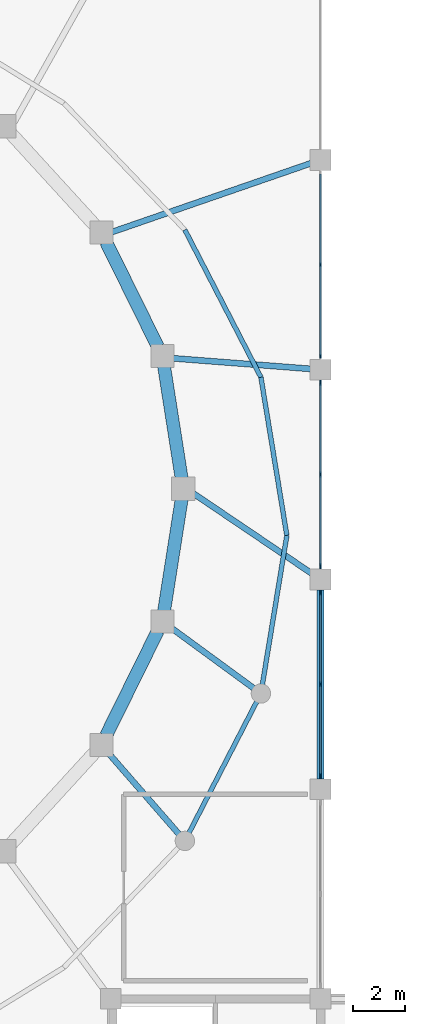
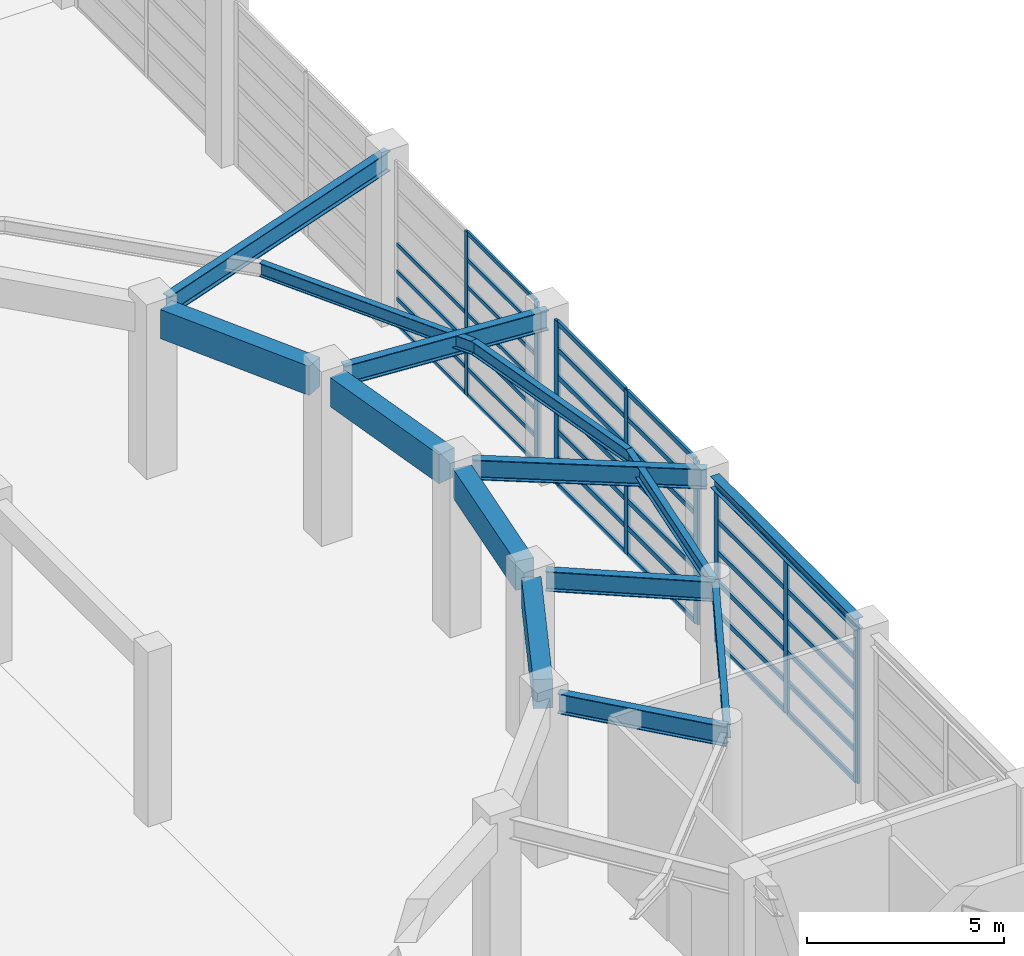
# One storey, part 14 of 52: 45 members, 14 beams, 3 elements without a shape of their own.
"""IFC4 building model written with IfcOpenShell, lengths in metres."""

from ifc_helpers import new_model, si_unit, direction, frame, origin, origin_2d, place, context, subcontext, project, spatial, rectangle, i_section, extrude, material, material_profile, profile_set, type_object, element, aggregate, save


model = new_model("IFC4")

# Units and contexts
model_context = context("Model", 3, precision=1e-05, world=origin(), true_north=direction((0.0, 1.0)))
body_context = subcontext(model_context, "Body", "Model", "MODEL_VIEW")
ifc_project = project(units=[si_unit("LENGTHUNIT", "METRE"), si_unit("AREAUNIT", "SQUARE_METRE"), si_unit("VOLUMEUNIT", "CUBIC_METRE"), si_unit("PLANEANGLEUNIT", "RADIAN"), si_unit("MASSUNIT", "GRAM", prefix="KILO")], contexts=[model_context])

# Site, building, storey
site_placement = place(None, origin())
site = spatial("IfcSite", under=ifc_project, at=site_placement, CompositionType="ELEMENT")
building_placement = place(site_placement, origin())
building = spatial("IfcBuilding", under=site, at=building_placement, Name="Parian Resonance Hall", CompositionType="ELEMENT")
storey_placement = place(building_placement, origin())
storey = spatial("IfcBuildingStorey", under=building, at=storey_placement, Name="L00", CompositionType="ELEMENT", Elevation=0.0)

# Beams
ifc_material_1 = material(Name="Concrete C40/50", Category="concrete")
ifc_material_profile_1 = material_profile(ifc_material_1, rectangle(XDim=0.5, YDim=0.89990234375, at=origin_2d()), Name="RC-BM-500x900")
ifc_profile_set_1 = profile_set([ifc_material_profile_1], Name="Concrete C40/50")
beam_type_1 = type_object("IfcBeamType", Name="BM-RC500x900", PredefinedType="USERDEFINED", material=ifc_profile_set_1)
beam_1_placement = place(storey_placement, frame((67.5380859375, 44.395263671875, 4.679931640625), z_axis=(-0.155033793728, 0.987909167283, 0.0), x_axis=(-0.987909167283, -0.155033793728, 0.0)))
element("IfcBeam", 1, at=beam_1_placement, inside=storey, type_object=beam_type_1, Name="Concert hall drum ring beam L00-01", ObjectType="GIRDER", PredefinedType="USERDEFINED", context=body_context, shape_type="SweptSolid", body=[
    extrude(rectangle(XDim=0.5, YDim=0.89990234375, at=origin_2d()), origin(), (0.0, 0.0, 1.0), 4.38720703125),
])
for number, where, z_axis, x_axis, name in (
    (2, (66.61865234375, 49.4833984375, 4.679931640625), (-0.442697851544, 0.896670849441, 0.0), (-0.896670849441, -0.442697851544, 0.0), "Concert hall drum ring beam L00-02"),
    (3, (64.615234375, 34.458740234375, 4.679931640625), (0.442697851544, 0.896670849441, 0.0), (-0.896670849441, 0.442697851544, 0.0), "Concert hall drum ring beam L00-23"),
):
    element("IfcBeam", number, at=place(storey_placement, frame(where, z_axis=z_axis, x_axis=x_axis)), inside=storey, type_object=beam_type_1, Name=name, ObjectType="GIRDER", PredefinedType="USERDEFINED", context=body_context, shape_type="SweptSolid", body=[
        extrude(rectangle(XDim=0.5, YDim=0.89990234375, at=origin_2d()), origin(), (0.0, 0.0, 1.0), 4.525390625),
    ])
beam_2_placement = place(storey_placement, frame((66.85791015625, 39.2705078125, 4.679931640625), z_axis=(0.155033793728, 0.987909167283, 0.0), x_axis=(-0.987909167283, 0.155033793728, 0.0)))
element("IfcBeam", 4, at=beam_2_placement, inside=storey, type_object=beam_type_1, Name="Concert hall drum ring beam L00-24", ObjectType="GIRDER", PredefinedType="USERDEFINED", context=body_context, shape_type="SweptSolid", body=[
    extrude(rectangle(XDim=0.5, YDim=0.89990234375, at=origin_2d()), origin(), (0.0, 0.0, 1.0), 4.38720703125),
])
ifc_material_2 = material(Name="Steel S355", Category="steel")
ifc_material_profile_2 = material_profile(ifc_material_2, i_section(OverallWidth=0.2548828125, OverallDepth=0.35693359375, WebThickness=0.010498046875, FlangeThickness=0.018310546875, FilletRadius=0.01513671875, at=origin_2d()), Name="W360x101")
ifc_profile_set_2 = profile_set([ifc_material_profile_2], Name="Steel S355")
beam_type_2 = type_object("IfcBeamType", Name="BM-W360x101", PredefinedType="SPANDREL", material=ifc_profile_set_2)
beam_3_placement = place(storey_placement, frame((72.89990234375, 32.800048828125, 4.951416015625), z_axis=(0.0, 1.0, 0.0), x_axis=(-1.0, 0.0, 0.0)))
element("IfcBeam", 5, at=beam_3_placement, inside=storey, type_object=beam_type_2, Name="GY-L00-0431", PredefinedType="SPANDREL", context=body_context, shape_type="SweptSolid", body=[
    extrude(i_section(OverallWidth=0.2548828125, OverallDepth=0.35693359375, WebThickness=0.010498046875, FlangeThickness=0.018310546875, FilletRadius=0.01513671875, at=origin_2d()), origin(), (0.0, 0.0, 1.0), 7.300048828125),
])
ifc_material_3 = material(Name="Steel S355", Category="steel")
ifc_material_profile_3 = material_profile(ifc_material_3, i_section(OverallWidth=0.180908203125, OverallDepth=0.4169921875, WebThickness=0.010986328125, FlangeThickness=0.018310546875, FilletRadius=0.01513671875, at=origin_2d()), Name="W410x85")
ifc_profile_set_3 = profile_set([ifc_material_profile_3], Name="Steel S355")
beam_type_3 = type_object("IfcBeamType", Name="BM-W410x85", PredefinedType="SPANDREL", material=ifc_profile_set_3)
beam_4_placement = place(storey_placement, frame((71.60009765625, 42.199951171875, 4.92138671875), z_axis=(-0.161871996396, 0.986811763602, 0.0), x_axis=(-0.986811763602, -0.161871996396, 0.0)))
element("IfcBeam", 6, at=beam_4_placement, inside=storey, type_object=beam_type_3, Name="Elliptical R1 perimeter spandrel beam 01", PredefinedType="SPANDREL", context=body_context, shape_type="SweptSolid", body=[
    extrude(i_section(OverallWidth=0.180908203125, OverallDepth=0.4169921875, WebThickness=0.010986328125, FlangeThickness=0.018310546875, FilletRadius=0.01513671875, at=origin_2d()), origin(), (0.0, 0.0, 1.0), 6.189697265625),
])
for number, where, z_axis, x_axis, name in (
    (7, (70.59814453125, 48.30810546875, 4.92138671875), (-0.458551648707, 0.888667758765, 0.0), (-0.888667758765, -0.458551648707, 0.0), "Elliptical R1 perimeter spandrel beam 02"),
    (8, (67.6611328125, 30.39990234375, 4.92138671875), (0.458551648707, 0.888667758765, 0.0), (-0.888667758765, 0.458551648707, 0.0), "Elliptical R1 perimeter spandrel beam 23"),
):
    element("IfcBeam", number, at=place(storey_placement, frame(where, z_axis=z_axis, x_axis=x_axis)), inside=storey, type_object=beam_type_3, Name=name, PredefinedType="SPANDREL", context=body_context, shape_type="SweptSolid", body=[
        extrude(i_section(OverallWidth=0.180908203125, OverallDepth=0.4169921875, WebThickness=0.010986328125, FlangeThickness=0.018310546875, FilletRadius=0.01513671875, at=origin_2d()), origin(), (0.0, 0.0, 1.0), 6.405029296875),
    ])
beam_5_placement = place(storey_placement, frame((70.59814453125, 36.091796875, 4.92138671875), z_axis=(0.161871996396, 0.986811763602, 0.0), x_axis=(-0.986811763602, 0.161871996396, 0.0)))
element("IfcBeam", 9, at=beam_5_placement, inside=storey, type_object=beam_type_3, Name="Elliptical R1 perimeter spandrel beam 24", PredefinedType="SPANDREL", context=body_context, shape_type="SweptSolid", body=[
    extrude(i_section(OverallWidth=0.180908203125, OverallDepth=0.4169921875, WebThickness=0.010986328125, FlangeThickness=0.018310546875, FilletRadius=0.01513671875, at=origin_2d()), origin(), (0.0, 0.0, 1.0), 6.189697265625),
])
ifc_material_4 = material(Name="Steel S355", Category="steel")
ifc_material_profile_4 = material_profile(ifc_material_4, i_section(OverallWidth=0.22998046875, OverallDepth=0.616943359375, WebThickness=0.01318359375, FlangeThickness=0.022216796875, FilletRadius=0.017822265625, at=origin_2d()), Name="W610x140")
ifc_profile_set_4 = profile_set([ifc_material_profile_4], Name="Steel S355")
beam_type_4 = type_object("IfcBeamType", Name="CG1 W610x140", PredefinedType="USERDEFINED", material=ifc_profile_set_4)
beam_6_placement = place(storey_placement, frame((67.96484375, 43.8359375, 4.821533203125), z_axis=(0.828476931089, -0.560023191174, 0.0), x_axis=(0.560023191174, 0.828476931089, 0.0)))
element("IfcBeam", 10, at=beam_6_placement, inside=storey, type_object=beam_type_4, Name="Radial spine girder R1-01", ObjectType="GIRDER", PredefinedType="USERDEFINED", context=body_context, shape_type="SweptSolid", body=[
    extrude(i_section(OverallWidth=0.22998046875, OverallDepth=0.616943359375, WebThickness=0.01318359375, FlangeThickness=0.022216796875, FilletRadius=0.017822265625, at=origin_2d()), origin(), (0.0, 0.0, 1.0), 5.956787109375),
])
beam_7_placement = place(storey_placement, frame((67.18701171875, 49.04052734375, 4.821533203125), z_axis=(0.997041437884, -0.076865929656, 0.0), x_axis=(0.076865929656, 0.997041437884, 0.0)))
element("IfcBeam", 11, at=beam_7_placement, inside=storey, type_object=beam_type_4, Name="Radial spine girder R1-02", ObjectType="GIRDER", PredefinedType="USERDEFINED", context=body_context, shape_type="SweptSolid", body=[
    extrude(i_section(OverallWidth=0.22998046875, OverallDepth=0.616943359375, WebThickness=0.01318359375, FlangeThickness=0.022216796875, FilletRadius=0.017822265625, at=origin_2d()), origin(), (0.0, 0.0, 1.0), 5.729736328125),
])
beam_8_placement = place(storey_placement, frame((64.837890625, 53.912353515625, 4.821533203125), z_axis=(0.945098305979, 0.326786156431, 0.0), x_axis=(-0.326786156431, 0.945098305979, 0.0)))
element("IfcBeam", 12, at=beam_8_placement, inside=storey, type_object=beam_type_4, Name="Radial spine girder R1-03", ObjectType="GIRDER", PredefinedType="USERDEFINED", context=body_context, shape_type="SweptSolid", body=[
    extrude(i_section(OverallWidth=0.22998046875, OverallDepth=0.616943359375, WebThickness=0.01318359375, FlangeThickness=0.022216796875, FilletRadius=0.017822265625, at=origin_2d()), origin(), (0.0, 0.0, 1.0), 8.5302734375),
])
beam_9_placement = place(storey_placement, frame((64.700927734375, 33.79833984375, 4.821533203125), z_axis=(0.656815522113, -0.754051304562, 0.0), x_axis=(0.754051304562, 0.656815522113, 0.0)))
element("IfcBeam", 13, at=beam_9_placement, inside=storey, type_object=beam_type_4, Name="Radial spine girder R1-23", ObjectType="GIRDER", PredefinedType="USERDEFINED", context=body_context, shape_type="SweptSolid", body=[
    extrude(i_section(OverallWidth=0.22998046875, OverallDepth=0.616943359375, WebThickness=0.01318359375, FlangeThickness=0.022216796875, FilletRadius=0.017822265625, at=origin_2d()), origin(), (0.0, 0.0, 1.0), 4.5068359375),
])
beam_10_placement = place(storey_placement, frame((67.11865234375, 38.63916015625, 4.821533203125), z_axis=(0.806876312566, -0.590720421367, 0.0), x_axis=(0.590720421367, 0.806876312566, 0.0)))
element("IfcBeam", 14, at=beam_10_placement, inside=storey, type_object=beam_type_4, Name="Radial spine girder R1-24", ObjectType="GIRDER", PredefinedType="USERDEFINED", context=body_context, shape_type="SweptSolid", body=[
    extrude(i_section(OverallWidth=0.22998046875, OverallDepth=0.616943359375, WebThickness=0.01318359375, FlangeThickness=0.022216796875, FilletRadius=0.017822265625, at=origin_2d()), origin(), (0.0, 0.0, 1.0), 4.312255859375),
])

# Curtain wall, members
ifc_material_5 = material(Name="Bronze-anodised aluminium frame", Category="aluminium")
curtain_wall_type_1 = type_object("IfcCurtainWallType", Name="CW-SYS-01", PredefinedType="NOTDEFINED", material=ifc_material_5)
curtain_wall_1_placement = place(storey_placement, origin())
curtain_wall_1 = element("IfcCurtainWall", 15, at=curtain_wall_1_placement, inside=storey, type_object=curtain_wall_type_1, Name="Curtain wall CW-L00-139", PredefinedType="NOTDEFINED")
ifc_material_6 = material(Name="Bronze-anodised aluminium frame", Category="aluminium")
ifc_material_profile_5 = material_profile(ifc_material_6, rectangle(XDim=0.06494140625, YDim=0.159912109375, at=origin_2d()), Name="CWM-65x160")
ifc_profile_set_5 = profile_set([ifc_material_profile_5], Name="Bronze-anodised aluminium frame")
member_type_1 = type_object("IfcMemberType", Name="CWM-65x160", PredefinedType="MULLION", material=ifc_profile_set_5)
member_1_placement = place(storey_placement, frame((72.89990234375, 52.64990234375, -0.008056640625), z_axis=(0.0, 0.0, 1.0), x_axis=(1.0, 0.0, 0.0)))
member_1 = element("IfcMember", 16, at=member_1_placement, type_object=member_type_1, Name="CW-01 mullion 2", PredefinedType="MULLION", context=body_context, shape_type="SweptSolid", body=[
    extrude(rectangle(XDim=0.06494140625, YDim=0.159912109375, at=origin_2d()), origin(), (0.0, 0.0, 1.0), 5.068115234375),
])
member_2_placement = place(storey_placement, frame((72.89990234375, 49.112548828125, -0.008056640625), z_axis=(0.0, 0.0, 1.0), x_axis=(1.0, 0.0, 0.0)))
member_2 = element("IfcMember", 17, at=member_2_placement, type_object=member_type_1, Name="CW-01 mullion 3", PredefinedType="MULLION", context=body_context, shape_type="SweptSolid", body=[
    extrude(rectangle(XDim=0.06494140625, YDim=0.159912109375, at=origin_2d()), origin(), (0.0, 0.0, 1.0), 5.068115234375),
])

ifc_material_7 = material(Name="Bronze-anodised aluminium frame", Category="aluminium")
curtain_wall_type_2 = type_object("IfcCurtainWallType", Name="CW-SYS-05", PredefinedType="NOTDEFINED", material=ifc_material_7)
curtain_wall_2_placement = place(storey_placement, origin())
curtain_wall_2 = element("IfcCurtainWall", 18, at=curtain_wall_2_placement, inside=storey, type_object=curtain_wall_type_2, Name="Curtain wall CW-L00-134", PredefinedType="NOTDEFINED")
ifc_material_8 = material(Name="Bronze-anodised aluminium frame", Category="aluminium")
ifc_material_profile_6 = material_profile(ifc_material_8, rectangle(XDim=0.074951171875, YDim=0.199951171875, at=origin_2d()), Name="CWM-75x200")
ifc_profile_set_6 = profile_set([ifc_material_profile_6], Name="Bronze-anodised aluminium frame")
member_type_2 = type_object("IfcMemberType", Name="CWM-75x200", PredefinedType="MULLION", material=ifc_profile_set_6)
member_3_placement = place(storey_placement, frame((72.89990234375, 39.982421875, -0.008056640625), z_axis=(0.0, 0.0, 1.0), x_axis=(1.0, 0.0, 0.0)))
member_3 = element("IfcMember", 19, at=member_3_placement, type_object=member_type_2, Name="CW-05 mullion 1", PredefinedType="MULLION", context=body_context, shape_type="SweptSolid", body=[
    extrude(rectangle(XDim=0.074951171875, YDim=0.199951171875, at=origin_2d()), origin(), (0.0, 0.0, 1.0), 4.78515625),
])
member_4_placement = place(storey_placement, frame((72.89990234375, 36.449951171875, -0.008056640625), z_axis=(0.0, 0.0, 1.0), x_axis=(1.0, 0.0, 0.0)))
member_4 = element("IfcMember", 20, at=member_4_placement, type_object=member_type_2, Name="CW-05 mullion 2", PredefinedType="MULLION", context=body_context, shape_type="SweptSolid", body=[
    extrude(rectangle(XDim=0.074951171875, YDim=0.199951171875, at=origin_2d()), origin(), (0.0, 0.0, 1.0), 4.78515625),
])
member_5_placement = place(storey_placement, frame((72.89990234375, 32.91748046875, -0.008056640625), z_axis=(0.0, 0.0, 1.0), x_axis=(1.0, 0.0, 0.0)))
member_5 = element("IfcMember", 21, at=member_5_placement, type_object=member_type_2, Name="CW-05 mullion 3", PredefinedType="MULLION", context=body_context, shape_type="SweptSolid", body=[
    extrude(rectangle(XDim=0.074951171875, YDim=0.199951171875, at=origin_2d()), origin(), (0.0, 0.0, 1.0), 4.78515625),
])

ifc_material_9 = material(Name="Bronze-anodised aluminium frame", Category="aluminium")
curtain_wall_type_3 = type_object("IfcCurtainWallType", Name="CW-SYS-06", PredefinedType="NOTDEFINED", material=ifc_material_9)
curtain_wall_3_placement = place(storey_placement, origin())
curtain_wall_3 = element("IfcCurtainWall", 22, at=curtain_wall_3_placement, inside=storey, type_object=curtain_wall_type_3, Name="Curtain wall CW-L00-138", PredefinedType="NOTDEFINED")
member_6_placement = place(storey_placement, frame((72.89990234375, 48.08251953125, -0.008056640625), z_axis=(0.0, 0.0, 1.0), x_axis=(1.0, 0.0, 0.0)))
member_6 = element("IfcMember", 23, at=member_6_placement, type_object=member_type_2, Name="CW-06 mullion 1", PredefinedType="MULLION", context=body_context, shape_type="SweptSolid", body=[
    extrude(rectangle(XDim=0.074951171875, YDim=0.199951171875, at=origin_2d()), origin(), (0.0, 0.0, 1.0), 5.068115234375),
])
member_7_placement = place(storey_placement, frame((72.89990234375, 44.550048828125, -0.008056640625), z_axis=(0.0, 0.0, 1.0), x_axis=(1.0, 0.0, 0.0)))
member_7 = element("IfcMember", 24, at=member_7_placement, type_object=member_type_2, Name="CW-06 mullion 2", PredefinedType="MULLION", context=body_context, shape_type="SweptSolid", body=[
    extrude(rectangle(XDim=0.074951171875, YDim=0.199951171875, at=origin_2d()), origin(), (0.0, 0.0, 1.0), 5.068115234375),
])
member_8_placement = place(storey_placement, frame((72.89990234375, 41.017578125, -0.008056640625), z_axis=(0.0, 0.0, 1.0), x_axis=(1.0, 0.0, 0.0)))
member_8 = element("IfcMember", 25, at=member_8_placement, type_object=member_type_2, Name="CW-06 mullion 3", PredefinedType="MULLION", context=body_context, shape_type="SweptSolid", body=[
    extrude(rectangle(XDim=0.074951171875, YDim=0.199951171875, at=origin_2d()), origin(), (0.0, 0.0, 1.0), 5.068115234375),
])

# Member
ifc_material_10 = material(Name="Bronze-anodised aluminium frame", Category="aluminium")
ifc_material_profile_7 = material_profile(ifc_material_10, rectangle(XDim=0.06494140625, YDim=0.1201171875, at=origin_2d()), Name="CWT-65x120")
ifc_profile_set_7 = profile_set([ifc_material_profile_7], Name="Bronze-anodised aluminium frame")
member_type_3 = type_object("IfcMemberType", Name="CWT-65x120", PredefinedType="USERDEFINED", material=ifc_profile_set_7)
member_9_placement = place(storey_placement, frame((72.89990234375, 56.155029296875, 0.0244140625), z_axis=(0.0, -1.0, 0.0), x_axis=(1.0, 0.0, 0.0)))
member_9 = element("IfcMember", 26, at=member_9_placement, type_object=member_type_3, Name="CW-01 transom 1.1", ObjectType="TRANSOM", PredefinedType="USERDEFINED", context=body_context, shape_type="SweptSolid", body=[
    extrude(rectangle(XDim=0.06494140625, YDim=0.1201171875, at=origin_2d()), origin(), (0.0, 0.0, 1.0), 3.472412109375),
])

member_10_placement = place(storey_placement, frame((72.89990234375, 56.155029296875, 0.841796875), z_axis=(0.0, -1.0, 0.0), x_axis=(1.0, 0.0, 0.0)))
member_10 = element("IfcMember", 27, at=member_10_placement, type_object=member_type_3, Name="CW-01 transom 1.2", ObjectType="TRANSOM", PredefinedType="USERDEFINED", context=body_context, shape_type="SweptSolid", body=[
    extrude(rectangle(XDim=0.06494140625, YDim=0.1201171875, at=origin_2d()), origin(), (0.0, 0.0, 1.0), 3.472412109375),
])

member_11_placement = place(storey_placement, frame((72.89990234375, 56.155029296875, 1.683349609375), z_axis=(0.0, -1.0, 0.0), x_axis=(1.0, 0.0, 0.0)))
member_11 = element("IfcMember", 28, at=member_11_placement, type_object=member_type_3, Name="CW-01 transom 1.3", ObjectType="TRANSOM", PredefinedType="USERDEFINED", context=body_context, shape_type="SweptSolid", body=[
    extrude(rectangle(XDim=0.06494140625, YDim=0.1201171875, at=origin_2d()), origin(), (0.0, 0.0, 1.0), 3.472412109375),
])

member_12_placement = place(storey_placement, frame((72.89990234375, 56.155029296875, 2.52490234375), z_axis=(0.0, -1.0, 0.0), x_axis=(1.0, 0.0, 0.0)))
member_12 = element("IfcMember", 29, at=member_12_placement, type_object=member_type_3, Name="CW-01 transom 1.4", ObjectType="TRANSOM", PredefinedType="USERDEFINED", context=body_context, shape_type="SweptSolid", body=[
    extrude(rectangle(XDim=0.06494140625, YDim=0.1201171875, at=origin_2d()), origin(), (0.0, 0.0, 1.0), 3.472412109375),
])

member_13_placement = place(storey_placement, frame((72.89990234375, 52.617431640625, 0.0244140625), z_axis=(0.0, -1.0, 0.0), x_axis=(1.0, 0.0, 0.0)))
member_13 = element("IfcMember", 30, at=member_13_placement, type_object=member_type_3, Name="CW-01 transom 2.1", ObjectType="TRANSOM", PredefinedType="USERDEFINED", context=body_context, shape_type="SweptSolid", body=[
    extrude(rectangle(XDim=0.06494140625, YDim=0.1201171875, at=origin_2d()), origin(), (0.0, 0.0, 1.0), 3.472412109375),
])

member_14_placement = place(storey_placement, frame((72.89990234375, 52.617431640625, 0.841796875), z_axis=(0.0, -1.0, 0.0), x_axis=(1.0, 0.0, 0.0)))
member_14 = element("IfcMember", 31, at=member_14_placement, type_object=member_type_3, Name="CW-01 transom 2.2", ObjectType="TRANSOM", PredefinedType="USERDEFINED", context=body_context, shape_type="SweptSolid", body=[
    extrude(rectangle(XDim=0.06494140625, YDim=0.1201171875, at=origin_2d()), origin(), (0.0, 0.0, 1.0), 3.472412109375),
])

member_15_placement = place(storey_placement, frame((72.89990234375, 52.617431640625, 1.683349609375), z_axis=(0.0, -1.0, 0.0), x_axis=(1.0, 0.0, 0.0)))
member_15 = element("IfcMember", 32, at=member_15_placement, type_object=member_type_3, Name="CW-01 transom 2.3", ObjectType="TRANSOM", PredefinedType="USERDEFINED", context=body_context, shape_type="SweptSolid", body=[
    extrude(rectangle(XDim=0.06494140625, YDim=0.1201171875, at=origin_2d()), origin(), (0.0, 0.0, 1.0), 3.472412109375),
])

member_16_placement = place(storey_placement, frame((72.89990234375, 52.617431640625, 2.52490234375), z_axis=(0.0, -1.0, 0.0), x_axis=(1.0, 0.0, 0.0)))
member_16 = element("IfcMember", 33, at=member_16_placement, type_object=member_type_3, Name="CW-01 transom 2.4", ObjectType="TRANSOM", PredefinedType="USERDEFINED", context=body_context, shape_type="SweptSolid", body=[
    extrude(rectangle(XDim=0.06494140625, YDim=0.1201171875, at=origin_2d()), origin(), (0.0, 0.0, 1.0), 3.472412109375),
])

member_17_placement = place(storey_placement, frame((72.89990234375, 52.617431640625, 3.36669921875), z_axis=(0.0, -1.0, 0.0), x_axis=(1.0, 0.0, 0.0)))
member_17 = element("IfcMember", 34, at=member_17_placement, type_object=member_type_3, Name="CW-01 transom 2.5", ObjectType="TRANSOM", PredefinedType="USERDEFINED", context=body_context, shape_type="SweptSolid", body=[
    extrude(rectangle(XDim=0.06494140625, YDim=0.1201171875, at=origin_2d()), origin(), (0.0, 0.0, 1.0), 3.472412109375),
])

member_18_placement = place(storey_placement, frame((72.89990234375, 52.617431640625, 4.208251953125), z_axis=(0.0, -1.0, 0.0), x_axis=(1.0, 0.0, 0.0)))
member_18 = element("IfcMember", 35, at=member_18_placement, type_object=member_type_3, Name="CW-01 transom 2.6", ObjectType="TRANSOM", PredefinedType="USERDEFINED", context=body_context, shape_type="SweptSolid", body=[
    extrude(rectangle(XDim=0.06494140625, YDim=0.1201171875, at=origin_2d()), origin(), (0.0, 0.0, 1.0), 3.472412109375),
])

member_19_placement = place(storey_placement, frame((72.89990234375, 52.617431640625, 5.027587890625), z_axis=(0.0, -1.0, 0.0), x_axis=(1.0, 0.0, 0.0)))
member_19 = element("IfcMember", 36, at=member_19_placement, type_object=member_type_3, Name="CW-01 transom 2.7", ObjectType="TRANSOM", PredefinedType="USERDEFINED", context=body_context, shape_type="SweptSolid", body=[
    extrude(rectangle(XDim=0.06494140625, YDim=0.1201171875, at=origin_2d()), origin(), (0.0, 0.0, 1.0), 3.472412109375),
])

aggregate(curtain_wall_1, [member_1, member_2, member_9, member_10, member_11, member_12, member_13, member_14, member_15, member_16, member_17, member_18, member_19])

ifc_material_11 = material(Name="Bronze-anodised aluminium frame", Category="aluminium")
ifc_material_profile_8 = material_profile(ifc_material_11, rectangle(XDim=0.074951171875, YDim=0.14990234375, at=origin_2d()), Name="CWT-75x150")
ifc_profile_set_8 = profile_set([ifc_material_profile_8], Name="Bronze-anodised aluminium frame")
member_type_4 = type_object("IfcMemberType", Name="CWT-75x150", PredefinedType="USERDEFINED", material=ifc_profile_set_8)
member_20_placement = place(storey_placement, frame((72.89990234375, 39.945068359375, 0.029541015625), z_axis=(0.0, -1.0, 0.0), x_axis=(1.0, 0.0, 0.0)))
member_20 = element("IfcMember", 37, at=member_20_placement, type_object=member_type_4, Name="CW-05 transom 1.1", ObjectType="TRANSOM", PredefinedType="USERDEFINED", context=body_context, shape_type="SweptSolid", body=[
    extrude(rectangle(XDim=0.074951171875, YDim=0.14990234375, at=origin_2d()), origin(), (0.0, 0.0, 1.0), 3.45751953125),
])

member_21_placement = place(storey_placement, frame((72.89990234375, 39.945068359375, 0.953369140625), z_axis=(0.0, -1.0, 0.0), x_axis=(1.0, 0.0, 0.0)))
member_21 = element("IfcMember", 38, at=member_21_placement, type_object=member_type_4, Name="CW-05 transom 1.2", ObjectType="TRANSOM", PredefinedType="USERDEFINED", context=body_context, shape_type="SweptSolid", body=[
    extrude(rectangle(XDim=0.074951171875, YDim=0.14990234375, at=origin_2d()), origin(), (0.0, 0.0, 1.0), 3.45751953125),
])

member_22_placement = place(storey_placement, frame((72.89990234375, 39.945068359375, 1.90673828125), z_axis=(0.0, -1.0, 0.0), x_axis=(1.0, 0.0, 0.0)))
member_22 = element("IfcMember", 39, at=member_22_placement, type_object=member_type_4, Name="CW-05 transom 1.3", ObjectType="TRANSOM", PredefinedType="USERDEFINED", context=body_context, shape_type="SweptSolid", body=[
    extrude(rectangle(XDim=0.074951171875, YDim=0.14990234375, at=origin_2d()), origin(), (0.0, 0.0, 1.0), 3.45751953125),
])

member_23_placement = place(storey_placement, frame((72.89990234375, 39.945068359375, 2.860107421875), z_axis=(0.0, -1.0, 0.0), x_axis=(1.0, 0.0, 0.0)))
member_23 = element("IfcMember", 40, at=member_23_placement, type_object=member_type_4, Name="CW-05 transom 1.4", ObjectType="TRANSOM", PredefinedType="USERDEFINED", context=body_context, shape_type="SweptSolid", body=[
    extrude(rectangle(XDim=0.074951171875, YDim=0.14990234375, at=origin_2d()), origin(), (0.0, 0.0, 1.0), 3.45751953125),
])

member_24_placement = place(storey_placement, frame((72.89990234375, 39.945068359375, 3.813720703125), z_axis=(0.0, -1.0, 0.0), x_axis=(1.0, 0.0, 0.0)))
member_24 = element("IfcMember", 41, at=member_24_placement, type_object=member_type_4, Name="CW-05 transom 1.5", ObjectType="TRANSOM", PredefinedType="USERDEFINED", context=body_context, shape_type="SweptSolid", body=[
    extrude(rectangle(XDim=0.074951171875, YDim=0.14990234375, at=origin_2d()), origin(), (0.0, 0.0, 1.0), 3.45751953125),
])

member_25_placement = place(storey_placement, frame((72.89990234375, 39.945068359375, 4.739501953125), z_axis=(0.0, -1.0, 0.0), x_axis=(1.0, 0.0, 0.0)))
member_25 = element("IfcMember", 42, at=member_25_placement, type_object=member_type_4, Name="CW-05 transom 1.6", ObjectType="TRANSOM", PredefinedType="USERDEFINED", context=body_context, shape_type="SweptSolid", body=[
    extrude(rectangle(XDim=0.074951171875, YDim=0.14990234375, at=origin_2d()), origin(), (0.0, 0.0, 1.0), 3.45751953125),
])

member_26_placement = place(storey_placement, frame((72.89990234375, 36.41259765625, 0.029541015625), z_axis=(0.0, -1.0, 0.0), x_axis=(1.0, 0.0, 0.0)))
member_26 = element("IfcMember", 43, at=member_26_placement, type_object=member_type_4, Name="CW-05 transom 2.1", ObjectType="TRANSOM", PredefinedType="USERDEFINED", context=body_context, shape_type="SweptSolid", body=[
    extrude(rectangle(XDim=0.074951171875, YDim=0.14990234375, at=origin_2d()), origin(), (0.0, 0.0, 1.0), 3.45751953125),
])

member_27_placement = place(storey_placement, frame((72.89990234375, 36.41259765625, 0.953369140625), z_axis=(0.0, -1.0, 0.0), x_axis=(1.0, 0.0, 0.0)))
member_27 = element("IfcMember", 44, at=member_27_placement, type_object=member_type_4, Name="CW-05 transom 2.2", ObjectType="TRANSOM", PredefinedType="USERDEFINED", context=body_context, shape_type="SweptSolid", body=[
    extrude(rectangle(XDim=0.074951171875, YDim=0.14990234375, at=origin_2d()), origin(), (0.0, 0.0, 1.0), 3.45751953125),
])

member_28_placement = place(storey_placement, frame((72.89990234375, 36.41259765625, 1.90673828125), z_axis=(0.0, -1.0, 0.0), x_axis=(1.0, 0.0, 0.0)))
member_28 = element("IfcMember", 45, at=member_28_placement, type_object=member_type_4, Name="CW-05 transom 2.3", ObjectType="TRANSOM", PredefinedType="USERDEFINED", context=body_context, shape_type="SweptSolid", body=[
    extrude(rectangle(XDim=0.074951171875, YDim=0.14990234375, at=origin_2d()), origin(), (0.0, 0.0, 1.0), 3.45751953125),
])

member_29_placement = place(storey_placement, frame((72.89990234375, 36.41259765625, 2.860107421875), z_axis=(0.0, -1.0, 0.0), x_axis=(1.0, 0.0, 0.0)))
member_29 = element("IfcMember", 46, at=member_29_placement, type_object=member_type_4, Name="CW-05 transom 2.4", ObjectType="TRANSOM", PredefinedType="USERDEFINED", context=body_context, shape_type="SweptSolid", body=[
    extrude(rectangle(XDim=0.074951171875, YDim=0.14990234375, at=origin_2d()), origin(), (0.0, 0.0, 1.0), 3.45751953125),
])

member_30_placement = place(storey_placement, frame((72.89990234375, 36.41259765625, 3.813720703125), z_axis=(0.0, -1.0, 0.0), x_axis=(1.0, 0.0, 0.0)))
member_30 = element("IfcMember", 47, at=member_30_placement, type_object=member_type_4, Name="CW-05 transom 2.5", ObjectType="TRANSOM", PredefinedType="USERDEFINED", context=body_context, shape_type="SweptSolid", body=[
    extrude(rectangle(XDim=0.074951171875, YDim=0.14990234375, at=origin_2d()), origin(), (0.0, 0.0, 1.0), 3.45751953125),
])

member_31_placement = place(storey_placement, frame((72.89990234375, 36.41259765625, 4.739501953125), z_axis=(0.0, -1.0, 0.0), x_axis=(1.0, 0.0, 0.0)))
member_31 = element("IfcMember", 48, at=member_31_placement, type_object=member_type_4, Name="CW-05 transom 2.6", ObjectType="TRANSOM", PredefinedType="USERDEFINED", context=body_context, shape_type="SweptSolid", body=[
    extrude(rectangle(XDim=0.074951171875, YDim=0.14990234375, at=origin_2d()), origin(), (0.0, 0.0, 1.0), 3.45751953125),
])

aggregate(curtain_wall_2, [member_3, member_4, member_5, member_20, member_21, member_22, member_23, member_24, member_25, member_26, member_27, member_28, member_29, member_30, member_31])

member_32_placement = place(storey_placement, frame((72.89990234375, 48.044921875, 0.029541015625), z_axis=(0.0, -1.0, 0.0), x_axis=(1.0, 0.0, 0.0)))
member_32 = element("IfcMember", 49, at=member_32_placement, type_object=member_type_4, Name="CW-06 transom 1.1", ObjectType="TRANSOM", PredefinedType="USERDEFINED", context=body_context, shape_type="SweptSolid", body=[
    extrude(rectangle(XDim=0.074951171875, YDim=0.14990234375, at=origin_2d()), origin(), (0.0, 0.0, 1.0), 3.45751953125),
])

member_33_placement = place(storey_placement, frame((72.89990234375, 48.044921875, 0.841796875), z_axis=(0.0, -1.0, 0.0), x_axis=(1.0, 0.0, 0.0)))
member_33 = element("IfcMember", 50, at=member_33_placement, type_object=member_type_4, Name="CW-06 transom 1.2", ObjectType="TRANSOM", PredefinedType="USERDEFINED", context=body_context, shape_type="SweptSolid", body=[
    extrude(rectangle(XDim=0.074951171875, YDim=0.14990234375, at=origin_2d()), origin(), (0.0, 0.0, 1.0), 3.45751953125),
])

member_34_placement = place(storey_placement, frame((72.89990234375, 48.044921875, 1.683349609375), z_axis=(0.0, -1.0, 0.0), x_axis=(1.0, 0.0, 0.0)))
member_34 = element("IfcMember", 51, at=member_34_placement, type_object=member_type_4, Name="CW-06 transom 1.3", ObjectType="TRANSOM", PredefinedType="USERDEFINED", context=body_context, shape_type="SweptSolid", body=[
    extrude(rectangle(XDim=0.074951171875, YDim=0.14990234375, at=origin_2d()), origin(), (0.0, 0.0, 1.0), 3.45751953125),
])

member_35_placement = place(storey_placement, frame((72.89990234375, 48.044921875, 2.52490234375), z_axis=(0.0, -1.0, 0.0), x_axis=(1.0, 0.0, 0.0)))
member_35 = element("IfcMember", 52, at=member_35_placement, type_object=member_type_4, Name="CW-06 transom 1.4", ObjectType="TRANSOM", PredefinedType="USERDEFINED", context=body_context, shape_type="SweptSolid", body=[
    extrude(rectangle(XDim=0.074951171875, YDim=0.14990234375, at=origin_2d()), origin(), (0.0, 0.0, 1.0), 3.45751953125),
])

member_36_placement = place(storey_placement, frame((72.89990234375, 48.044921875, 3.36669921875), z_axis=(0.0, -1.0, 0.0), x_axis=(1.0, 0.0, 0.0)))
member_36 = element("IfcMember", 53, at=member_36_placement, type_object=member_type_4, Name="CW-06 transom 1.5", ObjectType="TRANSOM", PredefinedType="USERDEFINED", context=body_context, shape_type="SweptSolid", body=[
    extrude(rectangle(XDim=0.074951171875, YDim=0.14990234375, at=origin_2d()), origin(), (0.0, 0.0, 1.0), 3.45751953125),
])

member_37_placement = place(storey_placement, frame((72.89990234375, 48.044921875, 4.208251953125), z_axis=(0.0, -1.0, 0.0), x_axis=(1.0, 0.0, 0.0)))
member_37 = element("IfcMember", 54, at=member_37_placement, type_object=member_type_4, Name="CW-06 transom 1.6", ObjectType="TRANSOM", PredefinedType="USERDEFINED", context=body_context, shape_type="SweptSolid", body=[
    extrude(rectangle(XDim=0.074951171875, YDim=0.14990234375, at=origin_2d()), origin(), (0.0, 0.0, 1.0), 3.45751953125),
])

member_38_placement = place(storey_placement, frame((72.89990234375, 48.044921875, 5.0224609375), z_axis=(0.0, -1.0, 0.0), x_axis=(1.0, 0.0, 0.0)))
member_38 = element("IfcMember", 55, at=member_38_placement, type_object=member_type_4, Name="CW-06 transom 1.7", ObjectType="TRANSOM", PredefinedType="USERDEFINED", context=body_context, shape_type="SweptSolid", body=[
    extrude(rectangle(XDim=0.074951171875, YDim=0.14990234375, at=origin_2d()), origin(), (0.0, 0.0, 1.0), 3.45751953125),
])

member_39_placement = place(storey_placement, frame((72.89990234375, 44.512451171875, 0.029541015625), z_axis=(0.0, -1.0, 0.0), x_axis=(1.0, 0.0, 0.0)))
member_39 = element("IfcMember", 56, at=member_39_placement, type_object=member_type_4, Name="CW-06 transom 2.1", ObjectType="TRANSOM", PredefinedType="USERDEFINED", context=body_context, shape_type="SweptSolid", body=[
    extrude(rectangle(XDim=0.074951171875, YDim=0.14990234375, at=origin_2d()), origin(), (0.0, 0.0, 1.0), 3.45751953125),
])

member_40_placement = place(storey_placement, frame((72.89990234375, 44.512451171875, 0.841796875), z_axis=(0.0, -1.0, 0.0), x_axis=(1.0, 0.0, 0.0)))
member_40 = element("IfcMember", 57, at=member_40_placement, type_object=member_type_4, Name="CW-06 transom 2.2", ObjectType="TRANSOM", PredefinedType="USERDEFINED", context=body_context, shape_type="SweptSolid", body=[
    extrude(rectangle(XDim=0.074951171875, YDim=0.14990234375, at=origin_2d()), origin(), (0.0, 0.0, 1.0), 3.45751953125),
])

member_41_placement = place(storey_placement, frame((72.89990234375, 44.512451171875, 1.683349609375), z_axis=(0.0, -1.0, 0.0), x_axis=(1.0, 0.0, 0.0)))
member_41 = element("IfcMember", 58, at=member_41_placement, type_object=member_type_4, Name="CW-06 transom 2.3", ObjectType="TRANSOM", PredefinedType="USERDEFINED", context=body_context, shape_type="SweptSolid", body=[
    extrude(rectangle(XDim=0.074951171875, YDim=0.14990234375, at=origin_2d()), origin(), (0.0, 0.0, 1.0), 3.45751953125),
])

member_42_placement = place(storey_placement, frame((72.89990234375, 44.512451171875, 2.52490234375), z_axis=(0.0, -1.0, 0.0), x_axis=(1.0, 0.0, 0.0)))
member_42 = element("IfcMember", 59, at=member_42_placement, type_object=member_type_4, Name="CW-06 transom 2.4", ObjectType="TRANSOM", PredefinedType="USERDEFINED", context=body_context, shape_type="SweptSolid", body=[
    extrude(rectangle(XDim=0.074951171875, YDim=0.14990234375, at=origin_2d()), origin(), (0.0, 0.0, 1.0), 3.45751953125),
])

member_43_placement = place(storey_placement, frame((72.89990234375, 44.512451171875, 3.36669921875), z_axis=(0.0, -1.0, 0.0), x_axis=(1.0, 0.0, 0.0)))
member_43 = element("IfcMember", 60, at=member_43_placement, type_object=member_type_4, Name="CW-06 transom 2.5", ObjectType="TRANSOM", PredefinedType="USERDEFINED", context=body_context, shape_type="SweptSolid", body=[
    extrude(rectangle(XDim=0.074951171875, YDim=0.14990234375, at=origin_2d()), origin(), (0.0, 0.0, 1.0), 3.45751953125),
])

member_44_placement = place(storey_placement, frame((72.89990234375, 44.512451171875, 4.208251953125), z_axis=(0.0, -1.0, 0.0), x_axis=(1.0, 0.0, 0.0)))
member_44 = element("IfcMember", 61, at=member_44_placement, type_object=member_type_4, Name="CW-06 transom 2.6", ObjectType="TRANSOM", PredefinedType="USERDEFINED", context=body_context, shape_type="SweptSolid", body=[
    extrude(rectangle(XDim=0.074951171875, YDim=0.14990234375, at=origin_2d()), origin(), (0.0, 0.0, 1.0), 3.45751953125),
])

member_45_placement = place(storey_placement, frame((72.89990234375, 44.512451171875, 5.0224609375), z_axis=(0.0, -1.0, 0.0), x_axis=(1.0, 0.0, 0.0)))
member_45 = element("IfcMember", 62, at=member_45_placement, type_object=member_type_4, Name="CW-06 transom 2.7", ObjectType="TRANSOM", PredefinedType="USERDEFINED", context=body_context, shape_type="SweptSolid", body=[
    extrude(rectangle(XDim=0.074951171875, YDim=0.14990234375, at=origin_2d()), origin(), (0.0, 0.0, 1.0), 3.45751953125),
])

aggregate(curtain_wall_3, [member_6, member_7, member_8, member_32, member_33, member_34, member_35, member_36, member_37, member_38, member_39, member_40, member_41, member_42, member_43, member_44, member_45])

save(model, "model.ifc")
